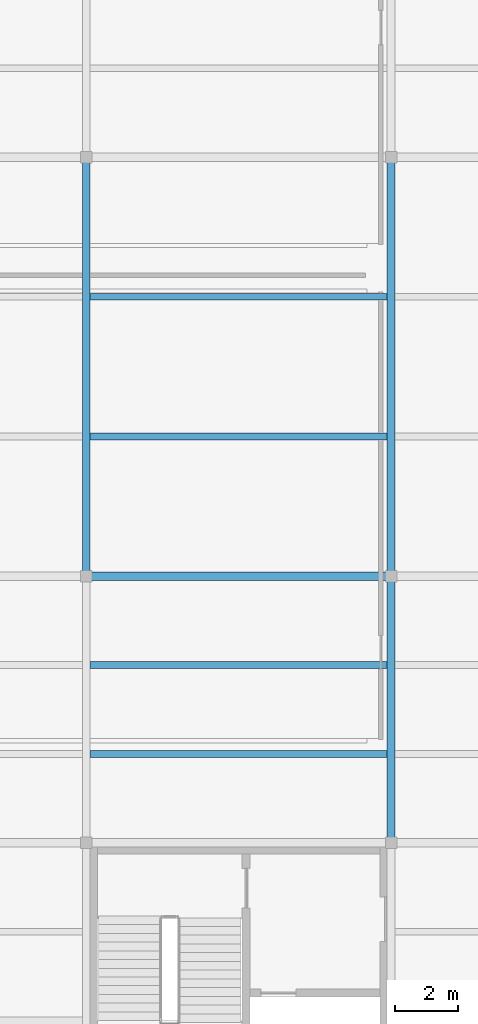
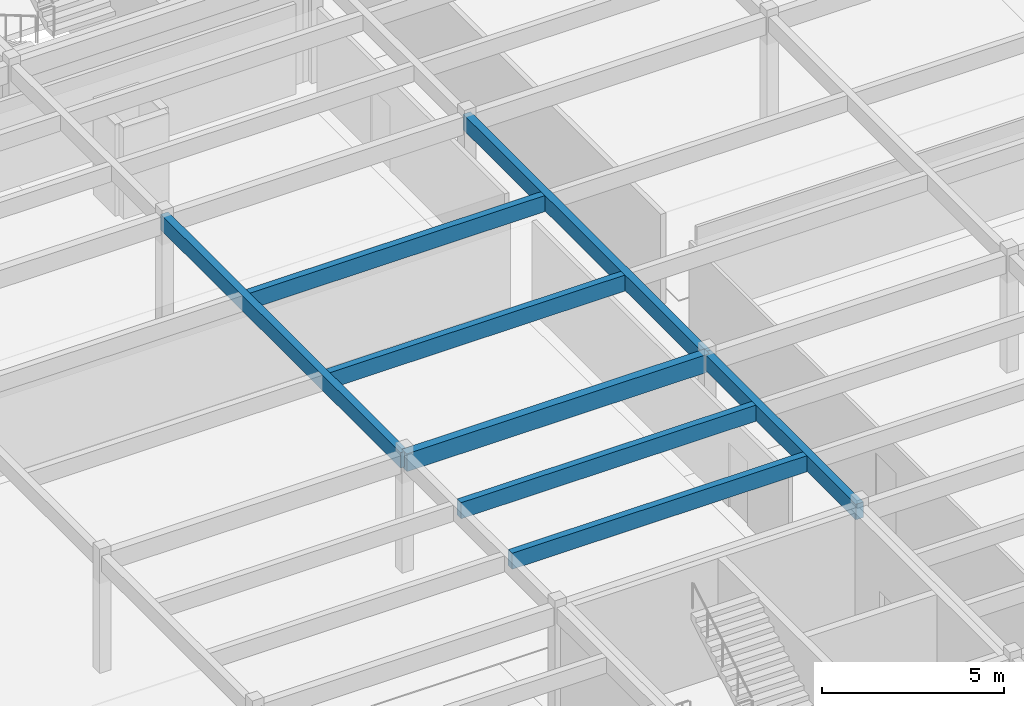
# One storey, part 8 of 61: 8 beams.
"""IFC4 building model written with IfcOpenShell, lengths in metres."""

from ifc_helpers import new_model, si_unit, direction, frame, origin, origin_2d, place, context, subcontext, project, spatial, rectangle, extrude, material, material_profile, profile_set, type_object, element, save


model = new_model("IFC4")

# Units and contexts
model_context = context("Model", 3, precision=1e-05, world=origin(), true_north=direction((0.0, 1.0)))
body_context = subcontext(model_context, "Body", "Model", "MODEL_VIEW")
ifc_project = project(units=[si_unit("LENGTHUNIT", "METRE"), si_unit("AREAUNIT", "SQUARE_METRE"), si_unit("VOLUMEUNIT", "CUBIC_METRE"), si_unit("PLANEANGLEUNIT", "RADIAN"), si_unit("MASSUNIT", "GRAM", prefix="KILO")], contexts=[model_context])

# Site, building, storey
site_placement = place(None, origin())
site = spatial("IfcSite", under=ifc_project, at=site_placement, CompositionType="ELEMENT")
building_placement = place(site_placement, origin())
building = spatial("IfcBuilding", under=site, at=building_placement, Name="Kolvemor Railside Polytechnic", CompositionType="ELEMENT")
storey_placement = place(building_placement, frame((0.0, 0.0, 10.199951171875)))
storey = spatial("IfcBuildingStorey", under=building, at=storey_placement, Name="L02", CompositionType="ELEMENT", Elevation=10.199951171875)

# Beams
ifc_material_1 = material(Name="Glulam GL28h", Category="wood")
ifc_material_profile_1 = material_profile(ifc_material_1, rectangle(XDim=0.264892578125, YDim=0.60009765625, at=origin_2d()), Name="GL265x600")
ifc_profile_set_1 = profile_set([ifc_material_profile_1], Name="Glulam GL28h")
beam_type_1 = type_object("IfcBeamType", Name="BM-GL-GIRD7", PredefinedType="BEAM", material=ifc_profile_set_1)
beam_1_placement = place(storey_placement, frame((19.199951171875, 38.39990234375, 3.650146484375), z_axis=(1.0, 0.0, 0.0), x_axis=(0.0, 1.0, 0.0)))
element("IfcBeam", 1, at=beam_1_placement, inside=storey, type_object=beam_type_1, Name="Primary Girder L03-GX 1110", PredefinedType="BEAM", context=body_context, shape_type="SweptSolid", body=[
    extrude(rectangle(XDim=0.264892578125, YDim=0.60009765625, at=origin_2d()), origin(), (0.0, 0.0, 1.0), 9.60009765625),
])
ifc_material_2 = material(Name="Glulam GL28h", Category="wood")
ifc_material_profile_2 = material_profile(ifc_material_2, rectangle(XDim=0.239990234375, YDim=0.52001953125, at=origin_2d()), Name="GL240x520")
ifc_profile_set_2 = profile_set([ifc_material_profile_2], Name="Glulam GL28h")
beam_type_2 = type_object("IfcBeamType", Name="BM-GL-GIRD8", PredefinedType="BEAM", material=ifc_profile_set_2)
beam_2_placement = place(storey_placement, frame((19.199951171875, 38.39990234375, 3.68994140625), z_axis=(0.0, 1.0, 0.0), x_axis=(-1.0, 0.0, 0.0)))
element("IfcBeam", 2, at=beam_2_placement, inside=storey, type_object=beam_type_2, Name="Primary Girder L03-GY 1139", PredefinedType="BEAM", context=body_context, shape_type="SweptSolid", body=[
    extrude(rectangle(XDim=0.239990234375, YDim=0.52001953125, at=origin_2d()), origin(), (0.0, 0.0, 1.0), 13.2001953125),
])
beam_3_placement = place(storey_placement, frame((28.800048828125, 30.0, 3.68994140625), z_axis=(0.0, 1.0, 0.0), x_axis=(-1.0, 0.0, 0.0)))
element("IfcBeam", 3, at=beam_3_placement, inside=storey, type_object=beam_type_2, Name="Primary Girder L03-GY 1145", PredefinedType="BEAM", context=body_context, shape_type="SweptSolid", body=[
    extrude(rectangle(XDim=0.239990234375, YDim=0.52001953125, at=origin_2d()), origin(), (0.0, 0.0, 1.0), 8.39990234375),
])
beam_4_placement = place(storey_placement, frame((28.800048828125, 38.39990234375, 3.68994140625), z_axis=(0.0, 1.0, 0.0), x_axis=(-1.0, 0.0, 0.0)))
element("IfcBeam", 4, at=beam_4_placement, inside=storey, type_object=beam_type_2, Name="Primary Girder L03-GY 1146", PredefinedType="BEAM", context=body_context, shape_type="SweptSolid", body=[
    extrude(rectangle(XDim=0.239990234375, YDim=0.52001953125, at=origin_2d()), origin(), (0.0, 0.0, 1.0), 13.2001953125),
])
ifc_material_3 = material(Name="Glulam GL28h", Category="wood")
ifc_material_profile_3 = material_profile(ifc_material_3, rectangle(XDim=0.215087890625, YDim=0.5400390625, at=origin_2d()), Name="GL215x540")
ifc_profile_set_3 = profile_set([ifc_material_profile_3], Name="Glulam GL28h")
beam_type_3 = type_object("IfcBeamType", Name="BM-GL-JST1", PredefinedType="JOIST", material=ifc_profile_set_3)
for number, where, z_axis, x_axis, name in (
    (5, (19.320068359375, 32.800048828125, 3.679931640625), (1.0, 0.0, 0.0), (0.0, 1.0, 0.0), "Floor Joist L03-J1180"),
    (6, (19.320068359375, 35.60009765625, 3.679931640625), (1.0, 0.0, 0.0), (0.0, 1.0, 0.0), "Floor Joist L03-J1181"),
    (7, (19.320068359375, 42.800048828125, 3.679931640625), (1.0, 0.0, 0.0), (0.0, 1.0, 0.0), "Floor Joist L03-J1182"),
    (8, (19.320068359375, 47.199951171875, 3.679931640625), (1.0, 0.0, 0.0), (0.0, 1.0, 0.0), "Floor Joist L03-J1183"),
):
    element("IfcBeam", number, at=place(storey_placement, frame(where, z_axis=z_axis, x_axis=x_axis)), inside=storey, type_object=beam_type_3, Name=name, PredefinedType="JOIST", context=body_context, shape_type="SweptSolid", body=[
        extrude(rectangle(XDim=0.215087890625, YDim=0.5400390625, at=origin_2d()), origin(), (0.0, 0.0, 1.0), 9.35986328125),
    ])

save(model, "model.ifc")
